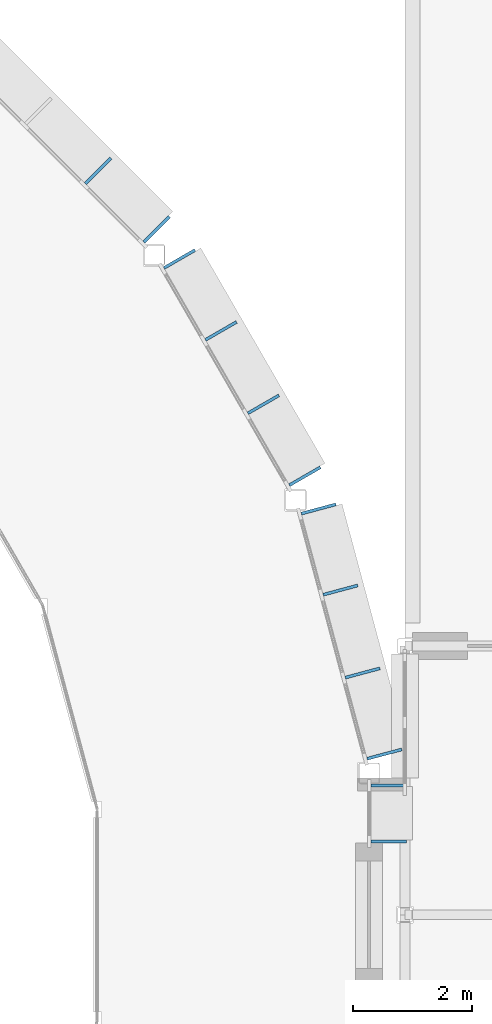
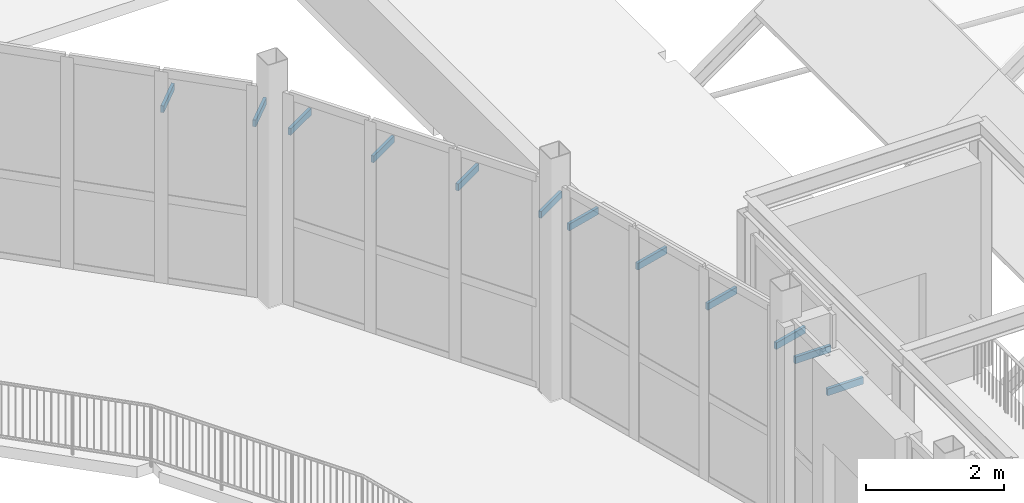
# One storey, part 54 of 74: 12 discrete accessories.
"""IFC4 building model written with IfcOpenShell, lengths in metres."""

from ifc_helpers import new_model, si_unit, direction, frame, origin, origin_2d, place, context, subcontext, project, spatial, rectangle, extrude, material, layer, layer_set, type_object, element, save


model = new_model("IFC4")

# Units and contexts
model_context = context("Model", 3, precision=1e-05, world=origin(), true_north=direction((0.0, 1.0)))
body_context = subcontext(model_context, "Body", "Model", "MODEL_VIEW")
ifc_project = project(units=[si_unit("LENGTHUNIT", "METRE"), si_unit("AREAUNIT", "SQUARE_METRE"), si_unit("VOLUMEUNIT", "CUBIC_METRE"), si_unit("PLANEANGLEUNIT", "RADIAN"), si_unit("MASSUNIT", "GRAM", prefix="KILO")], contexts=[model_context])

# Site, building, storey
site_placement = place(None, origin())
site = spatial("IfcSite", under=ifc_project, at=site_placement, CompositionType="ELEMENT")
building_placement = place(site_placement, origin())
building = spatial("IfcBuilding", under=site, at=building_placement, Name="Hortulan Conservatory and Botanical Research Centre", CompositionType="ELEMENT")
storey_placement = place(building_placement, frame((0.0, 0.0, 6.0)))
storey = spatial("IfcBuildingStorey", under=building, at=storey_placement, Name="L01", CompositionType="ELEMENT", Elevation=6.0)

# Discrete accessories
ifc_material = material(Name="Bronze-charcoal painted wrought iron", Category="metal")
ifc_layer = layer(ifc_material, 0.050048828125)
ifc_layer_set = layer_set([ifc_layer], Name="Blade Hanger Bracket 50x600x120")
discrete_accessory_type = type_object("IfcDiscreteAccessoryType", Name="Blade Hanger Bracket 50x600x120", PredefinedType="BRACKET", material=ifc_layer_set)
for number, where, z_axis, x_axis, name in (
    (1, (71.1552734375, 24.79736328125, 2.97998046875), (0.0, 0.0, 1.0), (0.258832531946, -0.965922212399, 0.0), "Blade hanger bracket"),
    (2, (71.519287109375, 23.4384765625, 2.97998046875), (0.0, 0.0, 1.0), (0.258832531946, -0.965922212399, 0.0), "Blade hanger bracket"),
    (3, (71.891357421875, 22.05029296875, 2.97998046875), (0.0, 0.0, 1.0), (0.258832531946, -0.965922212399, 0.0), "Blade hanger bracket"),
    (4, (72.255615234375, 20.69140625, 2.97998046875), (0.0, 0.0, 1.0), (0.258832531946, -0.965922212399, 0.0), "Blade hanger bracket"),
    (5, (68.82421875, 28.98388671875, 2.97998046875), (0.0, 0.0, 1.0), (0.499981861897, -0.86603587557, 0.0), "Blade hanger bracket"),
    (6, (69.519287109375, 27.780029296875, 2.97998046875), (0.0, 0.0, 1.0), (0.499981861897, -0.86603587557, 0.0), "Blade hanger bracket"),
    (7, (70.229248046875, 26.550048828125, 2.97998046875), (0.0, 0.0, 1.0), (0.499981861897, -0.86603587557, 0.0), "Blade hanger bracket"),
    (8, (70.92431640625, 25.34619140625, 2.97998046875), (0.0, 0.0, 1.0), (0.499981861897, -0.86603587557, 0.0), "Blade hanger bracket"),
    (9, (67.461669921875, 30.4609375, 2.97998046875), (0.0, 0.0, 1.0), (0.707106781187, -0.707106781187, 0.0), "Blade hanger bracket"),
    (10, (68.44091796875, 29.481689453125, 2.97998046875), (0.0, 0.0, 1.0), (0.707106781187, -0.707106781187, 0.0), "Blade hanger bracket"),
    (11, (72.330078125, 20.1650390625, 2.97998046875), (0.0, 0.0, 1.0), (0.0, -1.0, 0.0), "Blade hanger bracket"),
    (12, (72.330078125, 19.22998046875, 2.97998046875), (0.0, 0.0, 1.0), (0.0, -1.0, 0.0), "Blade hanger bracket"),
):
    element("IfcDiscreteAccessory", number, at=place(storey_placement, frame(where, z_axis=z_axis, x_axis=x_axis)), inside=storey, type_object=discrete_accessory_type, Name=name, PredefinedType="BRACKET", context=body_context, shape_type="SweptSolid", body=[
        extrude(rectangle(XDim=0.050048828125, YDim=0.60009765625, at=origin_2d()), origin(), (0.0, 0.0, 1.0), 0.1201171875),
    ])

save(model, "model.ifc")
